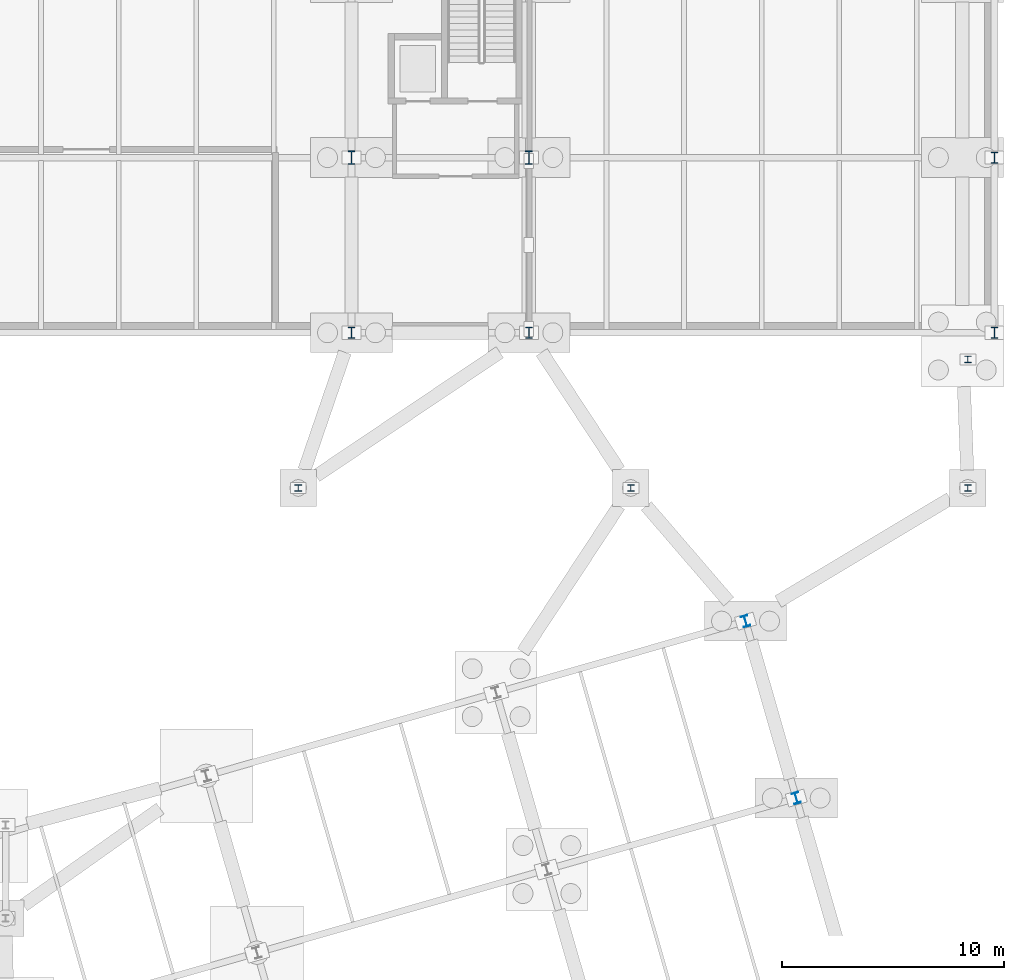
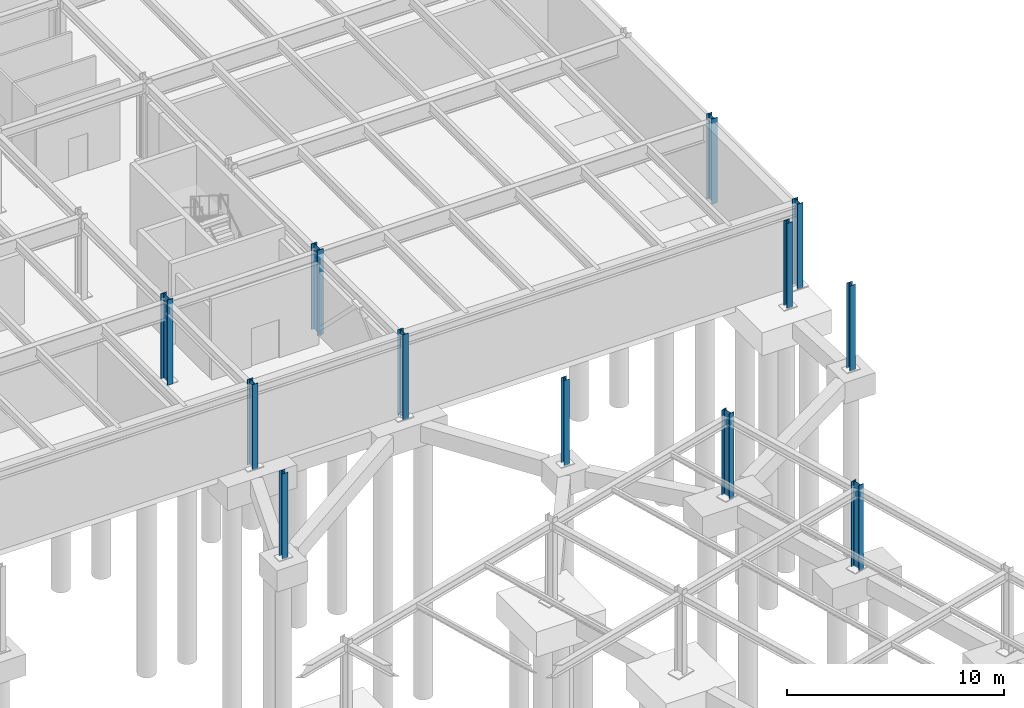
# One storey, part 25 of 50: 12 columns.
"""IFC4 building model written with IfcOpenShell, lengths in metres."""

from ifc_helpers import new_model, si_unit, direction, frame, origin, origin_2d, place, context, subcontext, project, spatial, i_section, extrude, material, material_profile, profile_set, type_object, element, save


model = new_model("IFC4")

# Units and contexts
model_context = context("Model", 3, precision=1e-05, world=origin(), true_north=direction((0.0, 1.0)))
body_context = subcontext(model_context, "Body", "Model", "MODEL_VIEW")
ifc_project = project(units=[si_unit("LENGTHUNIT", "METRE"), si_unit("AREAUNIT", "SQUARE_METRE"), si_unit("VOLUMEUNIT", "CUBIC_METRE"), si_unit("PLANEANGLEUNIT", "RADIAN"), si_unit("MASSUNIT", "GRAM", prefix="KILO")], contexts=[model_context])

# Site, building, storey
site_placement = place(None, origin())
site = spatial("IfcSite", under=ifc_project, at=site_placement, CompositionType="ELEMENT")
building_placement = place(site_placement, origin())
building = spatial("IfcBuilding", under=site, at=building_placement, Name="Varnklinge Art Gallery", CompositionType="ELEMENT")
storey_placement = place(building_placement, frame((0.0, 0.0, -4.800048828125)))
storey = spatial("IfcBuildingStorey", under=building, at=storey_placement, Name="B01", CompositionType="ELEMENT", Elevation=-4.800048828125)

# Columns
ifc_material_1 = material(Name="Steel S355", Category="steel")
ifc_material_profile_1 = material_profile(ifc_material_1, i_section(OverallWidth=0.304931640625, OverallDepth=0.6201171875, WebThickness=0.02099609375, FlangeThickness=0.0400390625, FilletRadius=0.027099609375, at=origin_2d()), Name="HEM 600")
ifc_profile_set_1 = profile_set([ifc_material_profile_1], Name="Steel S355")
column_type_1 = type_object("IfcColumnType", Name="COL-01", PredefinedType="COLUMN", material=ifc_profile_set_1)
for number, where, z_axis, x_axis, name in (
    (1, (135.39990234375, 66.10009765625, 0.0), (0.0, 0.0, 1.0), (1.0, 0.0, 0.0), "B01 Column V1C-2-2"),
    (2, (143.39990234375, 66.10009765625, 0.0), (0.0, 0.0, 1.0), (1.0, 0.0, 0.0), "B01 Column V1C-3-2"),
):
    element("IfcColumn", number, at=place(storey_placement, frame(where, z_axis=z_axis, x_axis=x_axis)), inside=storey, type_object=column_type_1, Name=name, PredefinedType="COLUMN", context=body_context, shape_type="SweptSolid", body=[
        extrude(i_section(OverallWidth=0.304931640625, OverallDepth=0.6201171875, WebThickness=0.02099609375, FlangeThickness=0.0400390625, FilletRadius=0.027099609375, at=origin_2d()), origin(), (0.0, 0.0, 1.0), 4.800048828125),
    ])
ifc_material_2 = material(Name="Steel S355", Category="steel")
ifc_material_profile_2 = material_profile(ifc_material_2, i_section(OverallWidth=0.300048828125, OverallDepth=0.5, WebThickness=0.014404296875, FlangeThickness=0.028076171875, FilletRadius=0.027099609375, at=origin_2d()), Name="HEB 500")
ifc_profile_set_2 = profile_set([ifc_material_profile_2], Name="Steel S355")
column_type_2 = type_object("IfcColumnType", Name="COL-05", PredefinedType="COLUMN", material=ifc_profile_set_2)
for number, where, z_axis, x_axis, name in (
    (3, (155.460205078125, 37.21337890625, 0.0), (0.0, 0.0, 1.0), (0.961261695938, 0.275637355817, 0.0), "B01 Column V6C-4-3"),
    (4, (153.172607421875, 45.19189453125, 0.0), (0.0, 0.0, 1.0), (0.961261695938, 0.275637355817, 0.0), "B01 Column V6C-4-4"),
):
    element("IfcColumn", number, at=place(storey_placement, frame(where, z_axis=z_axis, x_axis=x_axis)), inside=storey, type_object=column_type_2, Name=name, PredefinedType="COLUMN", context=body_context, shape_type="SweptSolid", body=[
        extrude(i_section(OverallWidth=0.300048828125, OverallDepth=0.5, WebThickness=0.014404296875, FlangeThickness=0.028076171875, FilletRadius=0.027099609375, at=origin_2d()), origin(), (0.0, 0.0, 1.0), 4.800048828125),
    ])
ifc_material_3 = material(Name="Steel S355", Category="steel")
ifc_material_profile_3 = material_profile(ifc_material_3, i_section(OverallWidth=0.300048828125, OverallDepth=0.300048828125, WebThickness=0.010986328125, FlangeThickness=0.01904296875, FilletRadius=0.027099609375, at=origin_2d()), Name="HEB 300")
ifc_profile_set_3 = profile_set([ifc_material_profile_3], Name="Steel S355")
column_type_3 = type_object("IfcColumnType", Name="COL-10", PredefinedType="COLUMN", material=ifc_profile_set_3)
for number, where, z_axis, x_axis, name in (
    (5, (133.0, 51.199951171875, 0.0), (0.0, 0.0, 1.0), (1.0, 0.0, 0.0), "B01 Column APRE-C2"),
    (6, (148.0, 51.199951171875, 0.0), (0.0, 0.0, 1.0), (1.0, 0.0, 0.0), "B01 Column APRE-C3"),
    (7, (163.199951171875, 51.199951171875, 0.0), (0.0, 0.0, 1.0), (1.0, 0.0, 0.0), "B01 Column APRE-C4"),
    (8, (163.199951171875, 57.0, 0.0), (0.0, 0.0, 1.0), (1.0, 0.0, 0.0), "B01 Column APRE-C5"),
):
    element("IfcColumn", number, at=place(storey_placement, frame(where, z_axis=z_axis, x_axis=x_axis)), inside=storey, type_object=column_type_3, Name=name, PredefinedType="COLUMN", context=body_context, shape_type="SweptSolid", body=[
        extrude(i_section(OverallWidth=0.300048828125, OverallDepth=0.300048828125, WebThickness=0.010986328125, FlangeThickness=0.01904296875, FilletRadius=0.027099609375, at=origin_2d()), origin(), (0.0, 0.0, 1.0), 4.800048828125),
    ])
ifc_material_4 = material(Name="Steel S355", Category="steel")
ifc_material_profile_4 = material_profile(ifc_material_4, i_section(OverallWidth=0.300048828125, OverallDepth=0.5, WebThickness=0.014404296875, FlangeThickness=0.028076171875, FilletRadius=0.027099609375, at=origin_2d()), Name="HEB 500")
ifc_profile_set_4 = profile_set([ifc_material_profile_4], Name="Steel S355")
column_type_4 = type_object("IfcColumnType", Name="COL-E1", PredefinedType="COLUMN", material=ifc_profile_set_4)
for number, where, z_axis, x_axis, name in (
    (9, (135.39990234375, 58.199951171875, 0.0), (0.0, 0.0, 1.0), (1.0, 0.0, 0.0), "B01 Column V1C-2-1"),
    (10, (143.39990234375, 58.199951171875, 0.0), (0.0, 0.0, 1.0), (1.0, 0.0, 0.0), "B01 Column V1C-3-1"),
    (11, (164.39990234375, 58.199951171875, 0.0), (0.0, 0.0, 1.0), (1.0, 0.0, 0.0), "B01 Column V1C-4-1"),
    (12, (164.39990234375, 66.10009765625, 0.0), (0.0, 0.0, 1.0), (1.0, 0.0, 0.0), "B01 Column V1C-4-2"),
):
    element("IfcColumn", number, at=place(storey_placement, frame(where, z_axis=z_axis, x_axis=x_axis)), inside=storey, type_object=column_type_4, Name=name, PredefinedType="COLUMN", context=body_context, shape_type="SweptSolid", body=[
        extrude(i_section(OverallWidth=0.300048828125, OverallDepth=0.5, WebThickness=0.014404296875, FlangeThickness=0.028076171875, FilletRadius=0.027099609375, at=origin_2d()), origin(), (0.0, 0.0, 1.0), 4.800048828125),
    ])

save(model, "model.ifc")
